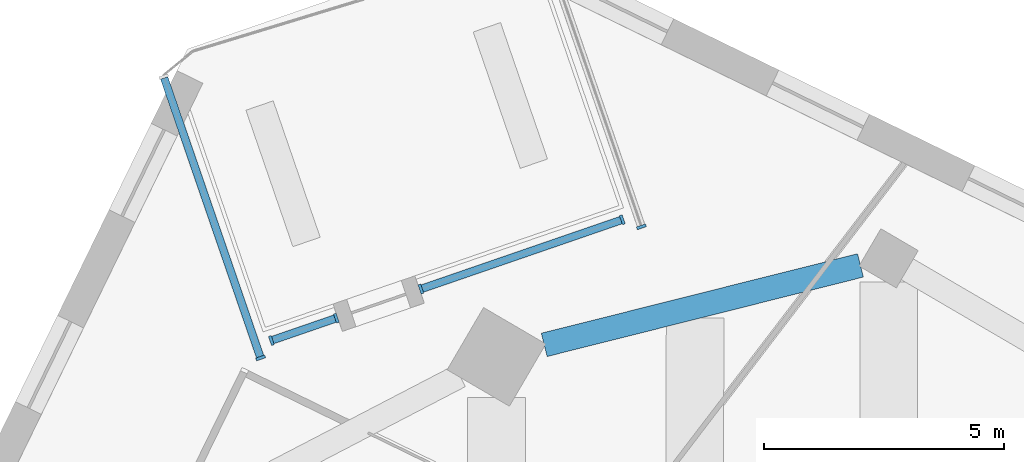
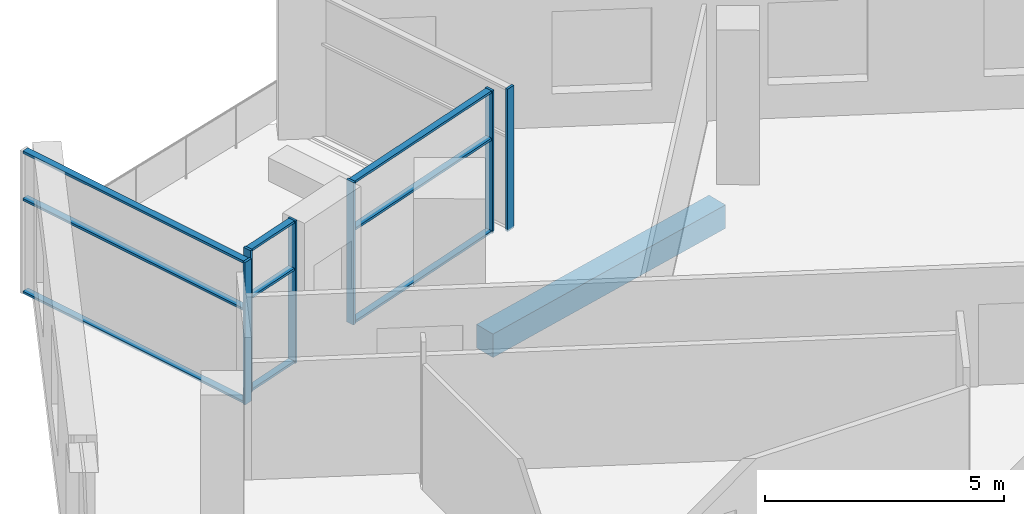
# One storey, part 2 of 13: 15 members, 1 beam, 4 elements without a shape of their own.
"""IFC4 building model written with IfcOpenShell, lengths in metres."""

from ifc_helpers import new_model, si_unit, direction, frame, origin, origin_2d, place, context, subcontext, project, spatial, rectangle, extrude, material, material_profile, profile_set, type_object, element, aggregate, save


model = new_model("IFC4")

# Units and contexts
model_context = context("Model", 3, precision=1e-05, world=origin(), true_north=direction((0.0, 1.0)))
body_context = subcontext(model_context, "Body", "Model", "MODEL_VIEW")
ifc_project = project(units=[si_unit("LENGTHUNIT", "METRE"), si_unit("AREAUNIT", "SQUARE_METRE"), si_unit("VOLUMEUNIT", "CUBIC_METRE"), si_unit("PLANEANGLEUNIT", "RADIAN"), si_unit("MASSUNIT", "GRAM", prefix="KILO")], contexts=[model_context])

# Site, building, storey
site_placement = place(None, origin())
site = spatial("IfcSite", under=ifc_project, at=site_placement, CompositionType="ELEMENT")
building_placement = place(site_placement, origin())
building = spatial("IfcBuilding", under=site, at=building_placement, Name="Dilmun Exchange Tower", CompositionType="ELEMENT")
storey_placement = place(building_placement, frame((0.0, 0.0, 286.89990234375)))
storey = spatial("IfcBuildingStorey", under=building, at=storey_placement, Name="L68", CompositionType="ELEMENT", Elevation=286.89990234375)

# Curtain wall, member
ifc_material_1 = material(Name="Anodised aluminium and clear glass", Category="aluminium")
curtain_wall_type = type_object("IfcCurtainWallType", Name="Garden corner glazing", PredefinedType="NOTDEFINED", material=ifc_material_1)
curtain_wall_1_placement = place(storey_placement, origin())
curtain_wall_1 = element("IfcCurtainWall", 1, at=curtain_wall_1_placement, inside=storey, type_object=curtain_wall_type, Name="Garden corner glazing run GC1.1", PredefinedType="NOTDEFINED")
ifc_material_2 = material(Name="Anodised aluminium", Category="aluminium")
ifc_material_profile_1 = material_profile(ifc_material_2, rectangle(XDim=0.199951171875, YDim=0.06005859375, at=origin_2d()), Name="AL 60x200")
ifc_profile_set_1 = profile_set([ifc_material_profile_1], Name="Anodised aluminium")
member_type_1 = type_object("IfcMemberType", Name="Garden corner glazing mullion 60 x 200", PredefinedType="MULLION", material=ifc_profile_set_1)
member_1_placement = place(storey_placement, frame((-0.8994140625, 29.162109375, 0.0), z_axis=(0.0, 0.0, 1.0), x_axis=(0.945515289338, 0.325577698297, 0.0)))
member_1 = element("IfcMember", 2, at=member_1_placement, type_object=member_type_1, Name="GC1.1 mullion 2", PredefinedType="MULLION", context=body_context, shape_type="SweptSolid", body=[
    extrude(rectangle(XDim=0.199951171875, YDim=0.06005859375, at=origin_2d()), origin(), (0.0, 0.0, 1.0), 3.64013671875),
])
aggregate(curtain_wall_1, [member_1])

# Curtain wall, members
curtain_wall_2_placement = place(storey_placement, origin())
curtain_wall_2 = element("IfcCurtainWall", 3, at=curtain_wall_2_placement, inside=storey, type_object=curtain_wall_type, Name="Garden corner glazing run GC2.1", PredefinedType="NOTDEFINED")
member_2_placement = place(storey_placement, frame((-1.29931640625, 29.309814453125, 0.0), z_axis=(0.0, 0.0, 1.0), x_axis=(0.325561585103, -0.945520837584, 0.0)))
member_2 = element("IfcMember", 4, at=member_2_placement, type_object=member_type_1, Name="GC2.1 mullion 1", PredefinedType="MULLION", context=body_context, shape_type="SweptSolid", body=[
    extrude(rectangle(XDim=0.199951171875, YDim=0.06005859375, at=origin_2d()), origin(), (0.0, 0.0, 1.0), 3.64013671875),
])
member_3_placement = place(storey_placement, frame((-5.487060546875, 27.867919921875, 0.0), z_axis=(0.0, 0.0, 1.0), x_axis=(0.325561585103, -0.945520837584, 0.0)))
member_3 = element("IfcMember", 5, at=member_3_placement, type_object=member_type_1, Name="GC2.1 mullion 2", PredefinedType="MULLION", context=body_context, shape_type="SweptSolid", body=[
    extrude(rectangle(XDim=0.199951171875, YDim=0.06005859375, at=origin_2d()), origin(), (0.0, 0.0, 1.0), 3.64013671875),
])

curtain_wall_3_placement = place(storey_placement, origin())
curtain_wall_3 = element("IfcCurtainWall", 6, at=curtain_wall_3_placement, inside=storey, type_object=curtain_wall_type, Name="Garden corner glazing run GC2.3", PredefinedType="NOTDEFINED")
member_4_placement = place(storey_placement, frame((-7.245849609375, 27.262451171875, 0.0), z_axis=(0.0, 0.0, 1.0), x_axis=(0.325560182015, -0.945521320694, 0.0)))
member_4 = element("IfcMember", 7, at=member_4_placement, type_object=member_type_1, Name="GC2.3 mullion 1", PredefinedType="MULLION", context=body_context, shape_type="SweptSolid", body=[
    extrude(rectangle(XDim=0.199951171875, YDim=0.06005859375, at=origin_2d()), origin(), (0.0, 0.0, 1.0), 3.64013671875),
])
member_5_placement = place(storey_placement, frame((-8.596923828125, 26.797119140625, 0.0), z_axis=(0.0, 0.0, 1.0), x_axis=(0.325560182015, -0.945521320694, 0.0)))
member_5 = element("IfcMember", 8, at=member_5_placement, type_object=member_type_1, Name="GC2.3 mullion 2", PredefinedType="MULLION", context=body_context, shape_type="SweptSolid", body=[
    extrude(rectangle(XDim=0.199951171875, YDim=0.06005859375, at=origin_2d()), origin(), (0.0, 0.0, 1.0), 3.64013671875),
])

# Curtain wall, member
curtain_wall_4_placement = place(storey_placement, origin())
curtain_wall_4 = element("IfcCurtainWall", 9, at=curtain_wall_4_placement, inside=storey, type_object=curtain_wall_type, Name="Garden corner glazing run GC3.1", PredefinedType="NOTDEFINED")
member_6_placement = place(storey_placement, frame((-8.821044921875, 26.434326171875, 0.0), z_axis=(0.0, 0.0, 1.0), x_axis=(-0.945516986278, -0.325572770145, 0.0)))
member_6 = element("IfcMember", 10, at=member_6_placement, type_object=member_type_1, Name="GC3.1 mullion 1", PredefinedType="MULLION", context=body_context, shape_type="SweptSolid", body=[
    extrude(rectangle(XDim=0.199951171875, YDim=0.06005859375, at=origin_2d()), origin(), (0.0, 0.0, 1.0), 3.64013671875),
])

# Member
ifc_material_profile_2 = material_profile(ifc_material_2, rectangle(XDim=0.159912109375, YDim=0.06005859375, at=origin_2d()), Name="AL 60x160")
ifc_profile_set_2 = profile_set([ifc_material_profile_2], Name="Anodised aluminium")
member_type_2 = type_object("IfcMemberType", Name="Garden corner glazing transom 60 x 160", PredefinedType="USERDEFINED", material=ifc_profile_set_2)
member_7_placement = place(storey_placement, frame((-1.32763671875, 29.300048828125, 0.030029296875), z_axis=(-0.94552489763, -0.325549793369, 0.0), x_axis=(0.325549793369, -0.94552489763, 0.0)))
member_7 = element("IfcMember", 11, at=member_7_placement, type_object=member_type_2, Name="GC2.1 transom 1.1", ObjectType="TRANSOM", PredefinedType="USERDEFINED", context=body_context, shape_type="SweptSolid", body=[
    extrude(rectangle(XDim=0.159912109375, YDim=0.06005859375, at=origin_2d()), origin(), (0.0, 0.0, 1.0), 4.369140625),
])

member_8_placement = place(storey_placement, frame((-1.32763671875, 29.300048828125, 2.400146484375), z_axis=(-0.94552489763, -0.325549793369, 0.0), x_axis=(0.325549793369, -0.94552489763, 0.0)))
member_8 = element("IfcMember", 12, at=member_8_placement, type_object=member_type_2, Name="GC2.1 transom 1.2", ObjectType="TRANSOM", PredefinedType="USERDEFINED", context=body_context, shape_type="SweptSolid", body=[
    extrude(rectangle(XDim=0.159912109375, YDim=0.06005859375, at=origin_2d()), origin(), (0.0, 0.0, 1.0), 4.369140625),
])

member_9_placement = place(storey_placement, frame((-1.32763671875, 29.300048828125, 3.610107421875), z_axis=(-0.94552489763, -0.325549793369, 0.0), x_axis=(0.325549793369, -0.94552489763, 0.0)))
member_9 = element("IfcMember", 13, at=member_9_placement, type_object=member_type_2, Name="GC2.1 transom 1.3", ObjectType="TRANSOM", PredefinedType="USERDEFINED", context=body_context, shape_type="SweptSolid", body=[
    extrude(rectangle(XDim=0.159912109375, YDim=0.06005859375, at=origin_2d()), origin(), (0.0, 0.0, 1.0), 4.369140625),
])

aggregate(curtain_wall_2, [member_2, member_3, member_7, member_8, member_9])

member_10_placement = place(storey_placement, frame((-7.274169921875, 27.252685546875, 0.030029296875), z_axis=(-0.945497988391, -0.325627937911, 0.0), x_axis=(0.325627937911, -0.945497988391, 0.0)))
member_10 = element("IfcMember", 14, at=member_10_placement, type_object=member_type_2, Name="GC2.3 transom 1.1", ObjectType="TRANSOM", PredefinedType="USERDEFINED", context=body_context, shape_type="SweptSolid", body=[
    extrude(rectangle(XDim=0.159912109375, YDim=0.06005859375, at=origin_2d()), origin(), (0.0, 0.0, 1.0), 1.369140625),
])

member_11_placement = place(storey_placement, frame((-7.274169921875, 27.252685546875, 2.400146484375), z_axis=(-0.945497988391, -0.325627937911, 0.0), x_axis=(0.325627937911, -0.945497988391, 0.0)))
member_11 = element("IfcMember", 15, at=member_11_placement, type_object=member_type_2, Name="GC2.3 transom 1.2", ObjectType="TRANSOM", PredefinedType="USERDEFINED", context=body_context, shape_type="SweptSolid", body=[
    extrude(rectangle(XDim=0.159912109375, YDim=0.06005859375, at=origin_2d()), origin(), (0.0, 0.0, 1.0), 1.369140625),
])

member_12_placement = place(storey_placement, frame((-7.274169921875, 27.252685546875, 3.610107421875), z_axis=(-0.945497988391, -0.325627937911, 0.0), x_axis=(0.325627937911, -0.945497988391, 0.0)))
member_12 = element("IfcMember", 16, at=member_12_placement, type_object=member_type_2, Name="GC2.3 transom 1.3", ObjectType="TRANSOM", PredefinedType="USERDEFINED", context=body_context, shape_type="SweptSolid", body=[
    extrude(rectangle(XDim=0.159912109375, YDim=0.06005859375, at=origin_2d()), origin(), (0.0, 0.0, 1.0), 1.369140625),
])

aggregate(curtain_wall_3, [member_4, member_5, member_10, member_11, member_12])

member_13_placement = place(storey_placement, frame((-8.830810546875, 26.462646484375, 0.030029296875), z_axis=(-0.325573096467, 0.945516873914, 0.0), x_axis=(-0.945516873914, -0.325573096467, 0.0)))
member_13 = element("IfcMember", 17, at=member_13_placement, type_object=member_type_2, Name="GC3.1 transom 1.1", ObjectType="TRANSOM", PredefinedType="USERDEFINED", context=body_context, shape_type="SweptSolid", body=[
    extrude(rectangle(XDim=0.159912109375, YDim=0.06005859375, at=origin_2d()), origin(), (0.0, 0.0, 1.0), 6.12646484375),
])

member_14_placement = place(storey_placement, frame((-8.830810546875, 26.462646484375, 2.400146484375), z_axis=(-0.325573096467, 0.945516873914, 0.0), x_axis=(-0.945516873914, -0.325573096467, 0.0)))
member_14 = element("IfcMember", 18, at=member_14_placement, type_object=member_type_2, Name="GC3.1 transom 1.2", ObjectType="TRANSOM", PredefinedType="USERDEFINED", context=body_context, shape_type="SweptSolid", body=[
    extrude(rectangle(XDim=0.159912109375, YDim=0.06005859375, at=origin_2d()), origin(), (0.0, 0.0, 1.0), 6.12646484375),
])

member_15_placement = place(storey_placement, frame((-8.830810546875, 26.462646484375, 3.610107421875), z_axis=(-0.325573096467, 0.945516873914, 0.0), x_axis=(-0.945516873914, -0.325573096467, 0.0)))
member_15 = element("IfcMember", 19, at=member_15_placement, type_object=member_type_2, Name="GC3.1 transom 1.3", ObjectType="TRANSOM", PredefinedType="USERDEFINED", context=body_context, shape_type="SweptSolid", body=[
    extrude(rectangle(XDim=0.159912109375, YDim=0.06005859375, at=origin_2d()), origin(), (0.0, 0.0, 1.0), 6.12646484375),
])

aggregate(curtain_wall_4, [member_6, member_13, member_14, member_15])

# Beam
ifc_material_3 = material(Name="Concrete C40/50", Category="concrete")
ifc_material_profile_3 = material_profile(ifc_material_3, rectangle(XDim=0.5, YDim=0.60009765625, at=origin_2d()), Name="500 x 600")
ifc_profile_set_3 = profile_set([ifc_material_profile_3], Name="Concrete C40/50")
beam_type = type_object("IfcBeamType", Name="RC ring beam 500 x 600 C40/50", PredefinedType="SPANDREL", material=ifc_profile_set_3)
beam_placement = place(storey_placement, frame((3.6552734375, 28.359130859375, -0.659912109375), z_axis=(-0.969853854997, -0.243687299522, 0.0), x_axis=(0.243687299522, -0.969853854997, 0.0)))
element("IfcBeam", 20, at=beam_placement, inside=storey, type_object=beam_type, Name="Ring beam 16", PredefinedType="SPANDREL", context=body_context, shape_type="SweptSolid", body=[
    extrude(rectangle(XDim=0.5, YDim=0.60009765625, at=origin_2d()), origin(), (0.0, 0.0, 1.0), 6.78271484375),
])

save(model, "model.ifc")
